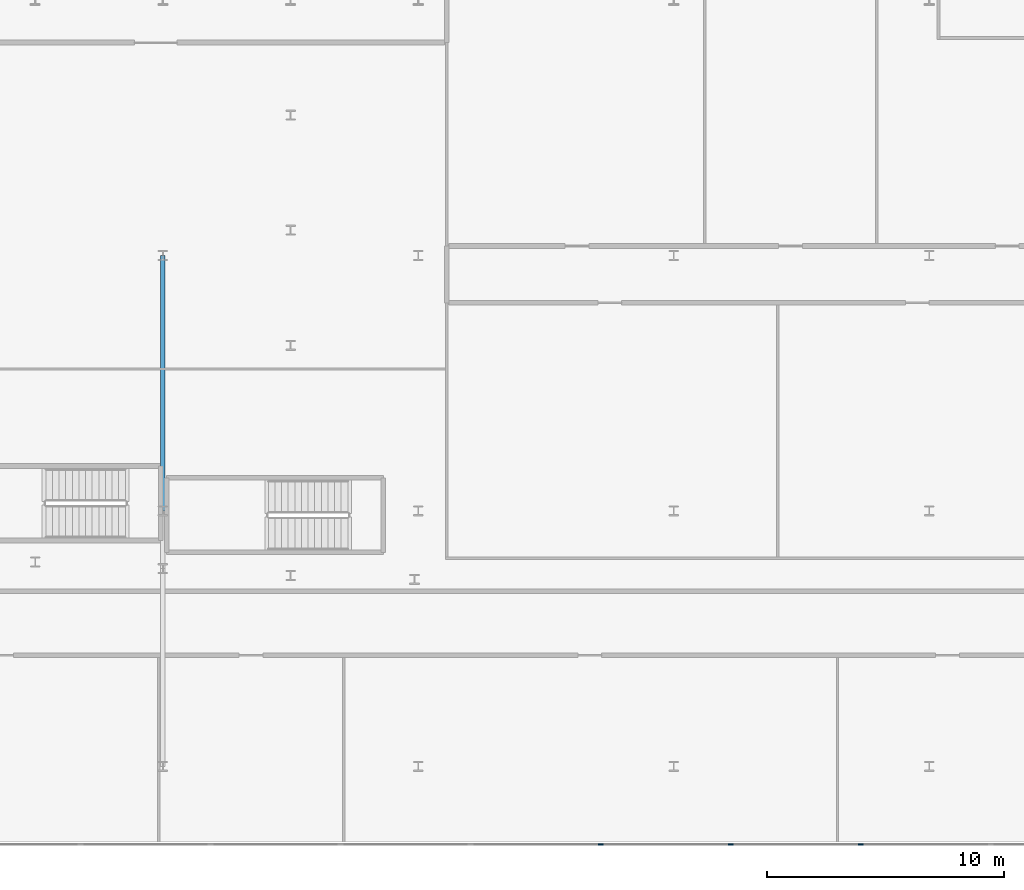
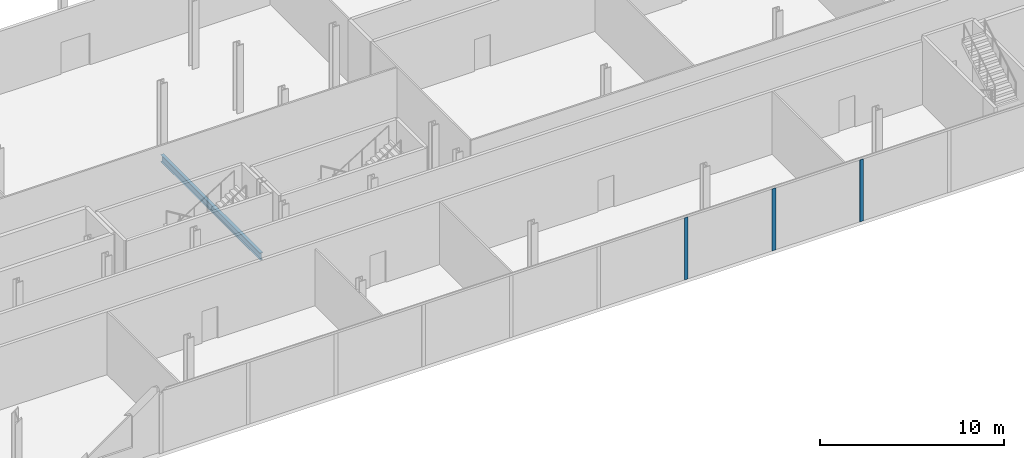
# One storey, part 12 of 47: 3 members, 1 beam, 1 element without a shape of its own.
"""IFC4 building model written with IfcOpenShell, lengths in metres."""

from ifc_helpers import new_model, si_unit, direction, frame, origin, origin_2d, place, context, subcontext, project, spatial, rectangle, i_section, extrude, material, layer, layer_set, material_profile, profile_set, type_object, element, aggregate, save


model = new_model("IFC4")

# Units and contexts
model_context = context("Model", 3, precision=1e-05, world=origin(), true_north=direction((0.0, 1.0)))
body_context = subcontext(model_context, "Body", "Model", "MODEL_VIEW")
ifc_project = project(units=[si_unit("LENGTHUNIT", "METRE"), si_unit("AREAUNIT", "SQUARE_METRE"), si_unit("VOLUMEUNIT", "CUBIC_METRE"), si_unit("PLANEANGLEUNIT", "RADIAN"), si_unit("MASSUNIT", "GRAM", prefix="KILO")], contexts=[model_context])

# Site, building, storey
site_placement = place(None, origin())
site = spatial("IfcSite", under=ifc_project, at=site_placement, CompositionType="ELEMENT")
building_placement = place(site_placement, origin())
building = spatial("IfcBuilding", under=site, at=building_placement, Name="Kheshtan School and Residences Tower", CompositionType="ELEMENT")
storey_placement = place(building_placement, frame((0.0, 0.0, 17.0)))
storey = spatial("IfcBuildingStorey", under=building, at=storey_placement, Name="L03", CompositionType="ELEMENT", Elevation=17.0)

# Beam
ifc_material_1 = material(Name="Steel ASTM A992 Grade 50", Category="steel")
ifc_material_profile_1 = material_profile(ifc_material_1, i_section(OverallWidth=0.194091796875, OverallDepth=0.468994140625, WebThickness=0.0126953125, FlangeThickness=0.0205078125, FilletRadius=0.01416015625, at=origin_2d()), Name="W460x106")
ifc_profile_set_1 = profile_set([ifc_material_profile_1], Name="Steel ASTM A992 Grade 50")
beam_type = type_object("IfcBeamType", Name="Beam PB2 W460x106 ASTM A992 Grade 50", PredefinedType="BEAM", material=ifc_profile_set_1)
beam_placement = place(storey_placement, frame((80.0, 24.0, -0.554443359375), z_axis=(0.0, 1.0, 0.0), x_axis=(-1.0, 0.0, 0.0)))
element("IfcBeam", 1, at=beam_placement, inside=storey, type_object=beam_type, Name="Podium floor beam PB2", PredefinedType="BEAM", context=body_context, shape_type="SweptSolid", body=[
    extrude(i_section(OverallWidth=0.194091796875, OverallDepth=0.468994140625, WebThickness=0.0126953125, FlangeThickness=0.0205078125, FilletRadius=0.01416015625, at=origin_2d()), origin(), (0.0, 0.0, 1.0), 10.800048828125),
])

# Curtain wall, members
ifc_material_2 = material(Name="Clear low-e glass in thermally broken aluminium frame", Category="aluminium")
ifc_layer = layer(ifc_material_2, 0.22509765625)
ifc_layer_set = layer_set([ifc_layer], Name="Curtain wall CW-P")
curtain_wall_type = type_object("IfcCurtainWallType", Name="Curtain wall CW-P", PredefinedType="NOTDEFINED", material=ifc_layer_set)
curtain_wall_placement = place(storey_placement, origin())
curtain_wall = element("IfcCurtainWall", 2, at=curtain_wall_placement, inside=storey, type_object=curtain_wall_type, Name="Curtain wall CWP12a", PredefinedType="NOTDEFINED")
ifc_material_3 = material(Name="Thermally broken aluminium, dark bronze anodised", Category="aluminium")
ifc_material_profile_2 = material_profile(ifc_material_3, rectangle(XDim=0.06005859375, YDim=0.22509765625, at=origin_2d()), Name="CW-P mullion 60x225")
ifc_profile_set_2 = profile_set([ifc_material_profile_2], Name="Thermally broken aluminium, dark bronze anodised")
member_type = type_object("IfcMemberType", Name="CW-P mullion 60x225", PredefinedType="MULLION", material=ifc_profile_set_2)
member_1_placement = place(storey_placement, frame((109.50537109375, 9.89990234375, 0.0), z_axis=(0.0, 0.0, 1.0), x_axis=(0.0, -1.0, 0.0)))
member_1 = element("IfcMember", 3, at=member_1_placement, type_object=member_type, Name="CWP12a mullion 4", PredefinedType="MULLION", context=body_context, shape_type="SweptSolid", body=[
    extrude(rectangle(XDim=0.06005859375, YDim=0.22509765625, at=origin_2d()), origin(), (0.0, 0.0, 1.0), 4.110107421875),
])
member_2_placement = place(storey_placement, frame((104.00732421875, 9.89990234375, 0.0), z_axis=(0.0, 0.0, 1.0), x_axis=(0.0, -1.0, 0.0)))
member_2 = element("IfcMember", 4, at=member_2_placement, type_object=member_type, Name="CWP12a mullion 5", PredefinedType="MULLION", context=body_context, shape_type="SweptSolid", body=[
    extrude(rectangle(XDim=0.06005859375, YDim=0.22509765625, at=origin_2d()), origin(), (0.0, 0.0, 1.0), 4.110107421875),
])
member_3_placement = place(storey_placement, frame((98.509033203125, 9.89990234375, 0.0), z_axis=(0.0, 0.0, 1.0), x_axis=(0.0, -1.0, 0.0)))
member_3 = element("IfcMember", 5, at=member_3_placement, type_object=member_type, Name="CWP12a mullion 6", PredefinedType="MULLION", context=body_context, shape_type="SweptSolid", body=[
    extrude(rectangle(XDim=0.06005859375, YDim=0.22509765625, at=origin_2d()), origin(), (0.0, 0.0, 1.0), 4.110107421875),
])
aggregate(curtain_wall, [member_1, member_2, member_3])

save(model, "model.ifc")
